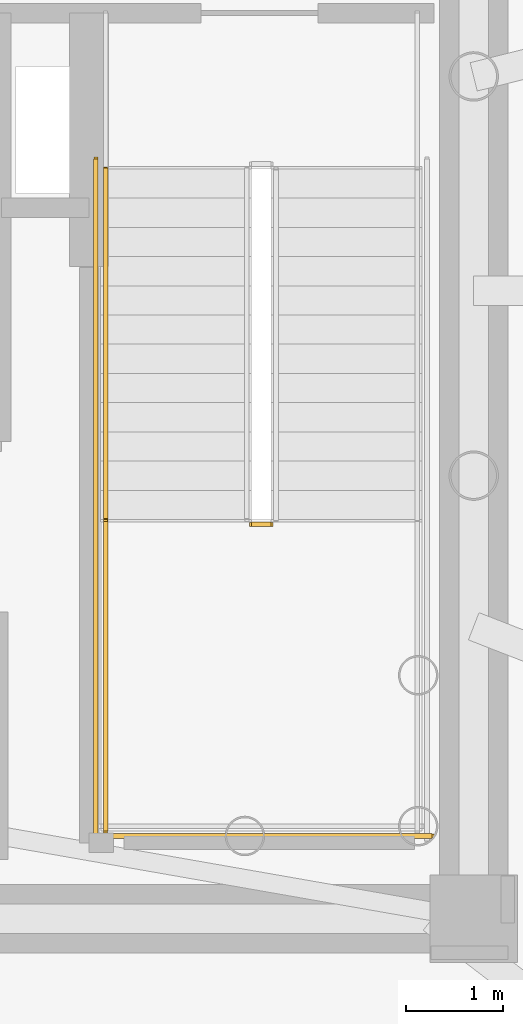
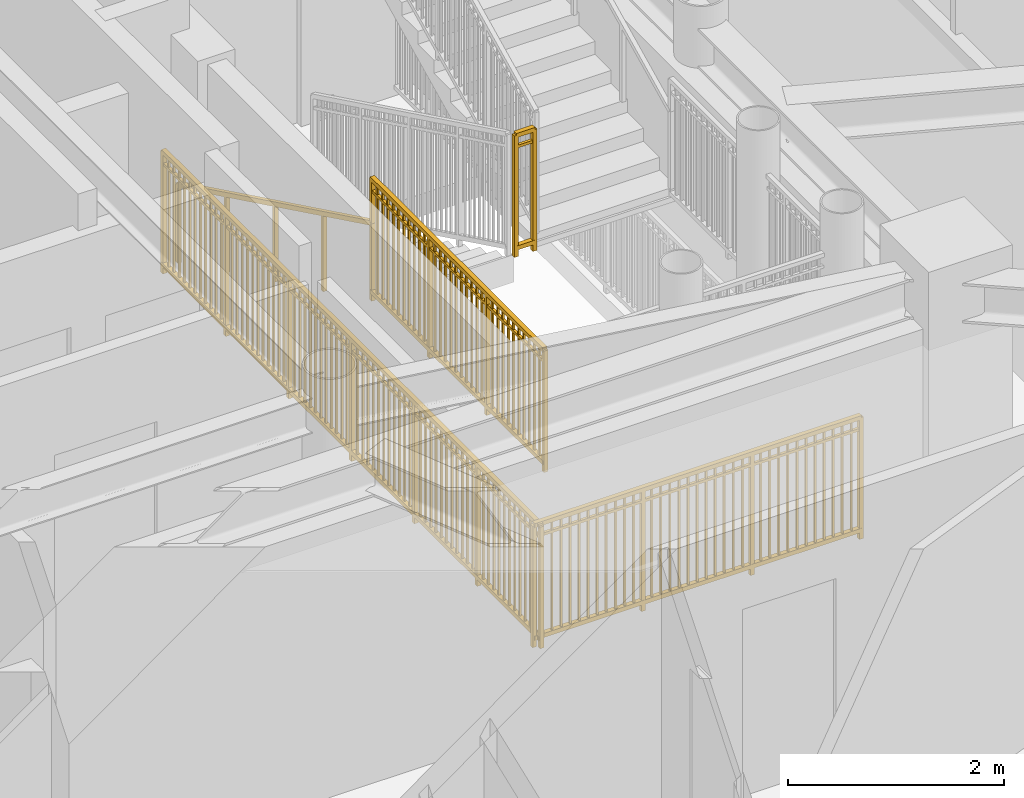
# One storey, part 12 of 17: 5 railings.
"""IFC4 building model written with IfcOpenShell, lengths in metres."""

from ifc_helpers import new_model, si_unit, direction, frame, origin, origin_2d, place, context, subcontext, project, spatial, rectangle, extrude, source, transform, mapped, material, type_object, element, save


model = new_model("IFC4")

# Units and contexts
model_context = context("Model", 3, precision=1e-05, world=origin(), true_north=direction((0.0, 1.0)))
body_context = subcontext(model_context, "Body", "Model", "MODEL_VIEW")
ifc_project = project(units=[si_unit("LENGTHUNIT", "METRE"), si_unit("AREAUNIT", "SQUARE_METRE"), si_unit("VOLUMEUNIT", "CUBIC_METRE"), si_unit("PLANEANGLEUNIT", "RADIAN"), si_unit("MASSUNIT", "GRAM", prefix="KILO")], contexts=[model_context])

# Site, building, storey
site_placement = place(None, origin())
site = spatial("IfcSite", under=ifc_project, at=site_placement, CompositionType="ELEMENT")
building_placement = place(site_placement, origin())
building = spatial("IfcBuilding", under=site, at=building_placement, Name="Linh Dai School and Residence Tower", CompositionType="ELEMENT")
storey_placement = place(building_placement, frame((0.0, 0.0, 327.800048828125)))
storey = spatial("IfcBuildingStorey", under=building, at=storey_placement, Name="L81", CompositionType="ELEMENT", Elevation=327.800048828125)

# Railings
ifc_material_1 = material(Name="Brushed Stainless Steel Handrail", Category="steel")
railing_type_1 = type_object("IfcRailingType", Name="RL-ST-HANDRAIL-900", PredefinedType="HANDRAIL", material=ifc_material_1)
shared_shape_1 = source(origin(), body_context, "Body", "SweptSolid", [
    extrude(rectangle(XDim=0.048095703125, YDim=0.048095703125, at=origin_2d()), frame((0.0, 0.0, 0.8759765625), z_axis=(0.0, -0.898988637874, 0.437971949985), x_axis=(1.0, 0.0, 0.0)), (0.0, 0.0, 1.0), 4.004638671875),
    extrude(rectangle(XDim=0.0419921875, YDim=0.0419921875, at=origin_2d()), origin(), (0.0, 0.0, 1.0), 0.8759765625),
    extrude(rectangle(XDim=0.0419921875, YDim=0.0419921875, at=origin_2d()), frame((0.0, -0.89990234375, 0.4384765625)), (0.0, 0.0, 1.0), 0.8759765625),
    extrude(rectangle(XDim=0.0419921875, YDim=0.0419921875, at=origin_2d()), frame((0.0, -1.800048828125, 0.876953125)), (0.0, 0.0, 1.0), 0.8759765625),
    extrude(rectangle(XDim=0.0419921875, YDim=0.0419921875, at=origin_2d()), frame((0.0, -2.7001953125, 1.3154296875)), (0.0, 0.0, 1.0), 0.8759765625),
    extrude(rectangle(XDim=0.0419921875, YDim=0.0419921875, at=origin_2d()), frame((0.0, -3.60009765625, 1.75390625)), (0.0, 0.0, 1.0), 0.8759765625),
])
railing_1_placement = place(storey_placement, frame((41.070068359375, 28.25, 0.14599609375)))
element("IfcRailing", 1, at=railing_1_placement, inside=storey, type_object=railing_type_1, Name="L81 ST2 stair handrail 1", PredefinedType="HANDRAIL", context=body_context, shape_type="MappedRepresentation", body=[
    mapped(shared_shape_1, transform((0.0, 0.0, 0.0), x_axis=(1.0, 0.0, 0.0), y_axis=(0.0, 1.0, 0.0), z_axis=(0.0, 0.0, 1.0), scale=1.0)),
])
ifc_material_2 = material(Name="Structural Steel S355JR", Category="steel")
railing_type_2 = type_object("IfcRailingType", Name="RL-ST-GUARD-1400", PredefinedType="GUARDRAIL", material=ifc_material_2)
shared_shape_2 = source(origin(), body_context, "Body", "SweptSolid", [
    extrude(rectangle(XDim=0.048095703125, YDim=0.048095703125, at=origin_2d()), frame((0.0, 0.0, 1.3759765625), z_axis=(1.0, 0.0, 0.0), x_axis=(0.0, 1.0, 0.0)), (0.0, 0.0, 1.0), 0.199951171875),
    extrude(rectangle(XDim=0.048095703125, YDim=0.048095703125, at=origin_2d()), frame((0.0, 0.0, 0.10009765625), z_axis=(1.0, 0.0, 0.0), x_axis=(0.0, 1.0, 0.0)), (0.0, 0.0, 1.0), 0.199951171875),
    extrude(rectangle(XDim=0.030029296875, YDim=0.030029296875, at=origin_2d()), frame((0.0, 0.0, 1.239990234375), z_axis=(1.0, 0.0, 0.0), x_axis=(0.0, 1.0, 0.0)), (0.0, 0.0, 1.0), 0.199951171875),
    extrude(rectangle(XDim=0.0419921875, YDim=0.0419921875, at=origin_2d()), origin(), (0.0, 0.0, 1.0), 1.3759765625),
    extrude(rectangle(XDim=0.0419921875, YDim=0.0419921875, at=origin_2d()), frame((0.199951171875, 0.0, 0.0)), (0.0, 0.0, 1.0), 1.3759765625),
])
railing_2_placement = place(storey_placement, frame((42.570068359375, 24.60009765625, 1.89990234375)))
element("IfcRailing", 2, at=railing_2_placement, inside=storey, type_object=railing_type_2, Name="L81 ST2 stair guard 2", PredefinedType="GUARDRAIL", context=body_context, shape_type="MappedRepresentation", body=[
    mapped(shared_shape_2, transform((0.0, 0.0, 0.0), x_axis=(1.0, 0.0, 0.0), y_axis=(0.0, 1.0, 0.0), z_axis=(0.0, 0.0, 1.0), scale=1.0)),
])
shared_shape_3 = source(origin(), body_context, "Body", "SweptSolid", [
    extrude(rectangle(XDim=0.048095703125, YDim=0.048095703125, at=origin_2d()), frame((0.0, 0.0, 1.3759765625), z_axis=(0.0, -1.0, 0.0), x_axis=(1.0, 0.0, 0.0)), (0.0, 0.0, 1.0), 7.0),
    extrude(rectangle(XDim=0.048095703125, YDim=0.048095703125, at=origin_2d()), frame((0.0, 0.0, 0.10009765625), z_axis=(0.0, -1.0, 0.0), x_axis=(1.0, 0.0, 0.0)), (0.0, 0.0, 1.0), 7.0),
    extrude(rectangle(XDim=0.030029296875, YDim=0.030029296875, at=origin_2d()), frame((0.0, 0.0, 1.239990234375), z_axis=(0.0, -1.0, 0.0), x_axis=(1.0, 0.0, 0.0)), (0.0, 0.0, 1.0), 7.0),
    extrude(rectangle(XDim=0.02001953125, YDim=0.02001953125, at=origin_2d()), frame((0.0, -0.09716796875, 0.10009765625)), (0.0, 0.0, 1.0), 1.251708984375),
    extrude(rectangle(XDim=0.02001953125, YDim=0.02001953125, at=origin_2d()), frame((0.0, -0.1943359375, 0.10009765625)), (0.0, 0.0, 1.0), 1.251708984375),
    extrude(rectangle(XDim=0.02001953125, YDim=0.02001953125, at=origin_2d()), frame((0.0, -0.291748046875, 0.10009765625)), (0.0, 0.0, 1.0), 1.251708984375),
    extrude(rectangle(XDim=0.02001953125, YDim=0.02001953125, at=origin_2d()), frame((0.0, -0.388916015625, 0.10009765625)), (0.0, 0.0, 1.0), 1.251708984375),
    extrude(rectangle(XDim=0.02001953125, YDim=0.02001953125, at=origin_2d()), frame((0.0, -0.486083984375, 0.10009765625)), (0.0, 0.0, 1.0), 1.251708984375),
    extrude(rectangle(XDim=0.02001953125, YDim=0.02001953125, at=origin_2d()), frame((0.0, -0.583251953125, 0.10009765625)), (0.0, 0.0, 1.0), 1.251708984375),
    extrude(rectangle(XDim=0.02001953125, YDim=0.02001953125, at=origin_2d()), frame((0.0, -0.6806640625, 0.10009765625)), (0.0, 0.0, 1.0), 1.251708984375),
    extrude(rectangle(XDim=0.02001953125, YDim=0.02001953125, at=origin_2d()), frame((0.0, -0.77783203125, 0.10009765625)), (0.0, 0.0, 1.0), 1.251708984375),
    extrude(rectangle(XDim=0.02001953125, YDim=0.02001953125, at=origin_2d()), frame((0.0, -0.875, 0.10009765625)), (0.0, 0.0, 1.0), 1.251708984375),
    extrude(rectangle(XDim=0.02001953125, YDim=0.02001953125, at=origin_2d()), frame((0.0, -0.97216796875, 0.10009765625)), (0.0, 0.0, 1.0), 1.251708984375),
    extrude(rectangle(XDim=0.02001953125, YDim=0.02001953125, at=origin_2d()), frame((0.0, -1.0693359375, 0.10009765625)), (0.0, 0.0, 1.0), 1.251708984375),
    extrude(rectangle(XDim=0.02001953125, YDim=0.02001953125, at=origin_2d()), frame((0.0, -1.263916015625, 0.10009765625)), (0.0, 0.0, 1.0), 1.251708984375),
    extrude(rectangle(XDim=0.02001953125, YDim=0.02001953125, at=origin_2d()), frame((0.0, -1.361083984375, 0.10009765625)), (0.0, 0.0, 1.0), 1.251708984375),
    extrude(rectangle(XDim=0.02001953125, YDim=0.02001953125, at=origin_2d()), frame((0.0, -1.458251953125, 0.10009765625)), (0.0, 0.0, 1.0), 1.251708984375),
    extrude(rectangle(XDim=0.02001953125, YDim=0.02001953125, at=origin_2d()), frame((0.0, -1.5556640625, 0.10009765625)), (0.0, 0.0, 1.0), 1.251708984375),
    extrude(rectangle(XDim=0.02001953125, YDim=0.02001953125, at=origin_2d()), frame((0.0, -1.65283203125, 0.10009765625)), (0.0, 0.0, 1.0), 1.251708984375),
    extrude(rectangle(XDim=0.02001953125, YDim=0.02001953125, at=origin_2d()), frame((0.0, -1.75, 0.10009765625)), (0.0, 0.0, 1.0), 1.251708984375),
    extrude(rectangle(XDim=0.02001953125, YDim=0.02001953125, at=origin_2d()), frame((0.0, -1.84716796875, 0.10009765625)), (0.0, 0.0, 1.0), 1.251708984375),
    extrude(rectangle(XDim=0.02001953125, YDim=0.02001953125, at=origin_2d()), frame((0.0, -1.9443359375, 0.10009765625)), (0.0, 0.0, 1.0), 1.251708984375),
    extrude(rectangle(XDim=0.02001953125, YDim=0.02001953125, at=origin_2d()), frame((0.0, -2.041748046875, 0.10009765625)), (0.0, 0.0, 1.0), 1.251708984375),
    extrude(rectangle(XDim=0.02001953125, YDim=0.02001953125, at=origin_2d()), frame((0.0, -2.138916015625, 0.10009765625)), (0.0, 0.0, 1.0), 1.251708984375),
    extrude(rectangle(XDim=0.02001953125, YDim=0.02001953125, at=origin_2d()), frame((0.0, -2.236083984375, 0.10009765625)), (0.0, 0.0, 1.0), 1.251708984375),
    extrude(rectangle(XDim=0.02001953125, YDim=0.02001953125, at=origin_2d()), frame((0.0, -2.4306640625, 0.10009765625)), (0.0, 0.0, 1.0), 1.251708984375),
    extrude(rectangle(XDim=0.02001953125, YDim=0.02001953125, at=origin_2d()), frame((0.0, -2.52783203125, 0.10009765625)), (0.0, 0.0, 1.0), 1.251708984375),
    extrude(rectangle(XDim=0.02001953125, YDim=0.02001953125, at=origin_2d()), frame((0.0, -2.625, 0.10009765625)), (0.0, 0.0, 1.0), 1.251708984375),
    extrude(rectangle(XDim=0.02001953125, YDim=0.02001953125, at=origin_2d()), frame((0.0, -2.72216796875, 0.10009765625)), (0.0, 0.0, 1.0), 1.251708984375),
    extrude(rectangle(XDim=0.02001953125, YDim=0.02001953125, at=origin_2d()), frame((0.0, -2.8193359375, 0.10009765625)), (0.0, 0.0, 1.0), 1.251708984375),
    extrude(rectangle(XDim=0.02001953125, YDim=0.02001953125, at=origin_2d()), frame((0.0, -2.916748046875, 0.10009765625)), (0.0, 0.0, 1.0), 1.251708984375),
    extrude(rectangle(XDim=0.02001953125, YDim=0.02001953125, at=origin_2d()), frame((0.0, -3.013916015625, 0.10009765625)), (0.0, 0.0, 1.0), 1.251708984375),
    extrude(rectangle(XDim=0.02001953125, YDim=0.02001953125, at=origin_2d()), frame((0.0, -3.111083984375, 0.10009765625)), (0.0, 0.0, 1.0), 1.251708984375),
    extrude(rectangle(XDim=0.02001953125, YDim=0.02001953125, at=origin_2d()), frame((0.0, -3.208251953125, 0.10009765625)), (0.0, 0.0, 1.0), 1.251708984375),
    extrude(rectangle(XDim=0.02001953125, YDim=0.02001953125, at=origin_2d()), frame((0.0, -3.3056640625, 0.10009765625)), (0.0, 0.0, 1.0), 1.251708984375),
    extrude(rectangle(XDim=0.02001953125, YDim=0.02001953125, at=origin_2d()), frame((0.0, -3.40283203125, 0.10009765625)), (0.0, 0.0, 1.0), 1.251708984375),
    extrude(rectangle(XDim=0.02001953125, YDim=0.02001953125, at=origin_2d()), frame((0.0, -3.59716796875, 0.10009765625)), (0.0, 0.0, 1.0), 1.251708984375),
    extrude(rectangle(XDim=0.02001953125, YDim=0.02001953125, at=origin_2d()), frame((0.0, -3.6943359375, 0.10009765625)), (0.0, 0.0, 1.0), 1.251708984375),
    extrude(rectangle(XDim=0.02001953125, YDim=0.02001953125, at=origin_2d()), frame((0.0, -3.791748046875, 0.10009765625)), (0.0, 0.0, 1.0), 1.251708984375),
    extrude(rectangle(XDim=0.02001953125, YDim=0.02001953125, at=origin_2d()), frame((0.0, -3.888916015625, 0.10009765625)), (0.0, 0.0, 1.0), 1.251708984375),
    extrude(rectangle(XDim=0.02001953125, YDim=0.02001953125, at=origin_2d()), frame((0.0, -3.986083984375, 0.10009765625)), (0.0, 0.0, 1.0), 1.251708984375),
    extrude(rectangle(XDim=0.02001953125, YDim=0.02001953125, at=origin_2d()), frame((0.0, -4.083251953125, 0.10009765625)), (0.0, 0.0, 1.0), 1.251708984375),
    extrude(rectangle(XDim=0.02001953125, YDim=0.02001953125, at=origin_2d()), frame((0.0, -4.1806640625, 0.10009765625)), (0.0, 0.0, 1.0), 1.251708984375),
    extrude(rectangle(XDim=0.02001953125, YDim=0.02001953125, at=origin_2d()), frame((0.0, -4.27783203125, 0.10009765625)), (0.0, 0.0, 1.0), 1.251708984375),
    extrude(rectangle(XDim=0.02001953125, YDim=0.02001953125, at=origin_2d()), frame((0.0, -4.375, 0.10009765625)), (0.0, 0.0, 1.0), 1.251708984375),
    extrude(rectangle(XDim=0.02001953125, YDim=0.02001953125, at=origin_2d()), frame((0.0, -4.47216796875, 0.10009765625)), (0.0, 0.0, 1.0), 1.251708984375),
    extrude(rectangle(XDim=0.02001953125, YDim=0.02001953125, at=origin_2d()), frame((0.0, -4.5693359375, 0.10009765625)), (0.0, 0.0, 1.0), 1.251708984375),
    extrude(rectangle(XDim=0.02001953125, YDim=0.02001953125, at=origin_2d()), frame((0.0, -4.763916015625, 0.10009765625)), (0.0, 0.0, 1.0), 1.251708984375),
    extrude(rectangle(XDim=0.02001953125, YDim=0.02001953125, at=origin_2d()), frame((0.0, -4.861083984375, 0.10009765625)), (0.0, 0.0, 1.0), 1.251708984375),
    extrude(rectangle(XDim=0.02001953125, YDim=0.02001953125, at=origin_2d()), frame((0.0, -4.958251953125, 0.10009765625)), (0.0, 0.0, 1.0), 1.251708984375),
    extrude(rectangle(XDim=0.02001953125, YDim=0.02001953125, at=origin_2d()), frame((0.0, -5.0556640625, 0.10009765625)), (0.0, 0.0, 1.0), 1.251708984375),
    extrude(rectangle(XDim=0.02001953125, YDim=0.02001953125, at=origin_2d()), frame((0.0, -5.15283203125, 0.10009765625)), (0.0, 0.0, 1.0), 1.251708984375),
    extrude(rectangle(XDim=0.02001953125, YDim=0.02001953125, at=origin_2d()), frame((0.0, -5.25, 0.10009765625)), (0.0, 0.0, 1.0), 1.251708984375),
    extrude(rectangle(XDim=0.02001953125, YDim=0.02001953125, at=origin_2d()), frame((0.0, -5.34716796875, 0.10009765625)), (0.0, 0.0, 1.0), 1.251708984375),
    extrude(rectangle(XDim=0.02001953125, YDim=0.02001953125, at=origin_2d()), frame((0.0, -5.4443359375, 0.10009765625)), (0.0, 0.0, 1.0), 1.251708984375),
    extrude(rectangle(XDim=0.02001953125, YDim=0.02001953125, at=origin_2d()), frame((0.0, -5.541748046875, 0.10009765625)), (0.0, 0.0, 1.0), 1.251708984375),
    extrude(rectangle(XDim=0.02001953125, YDim=0.02001953125, at=origin_2d()), frame((0.0, -5.638916015625, 0.10009765625)), (0.0, 0.0, 1.0), 1.251708984375),
    extrude(rectangle(XDim=0.02001953125, YDim=0.02001953125, at=origin_2d()), frame((0.0, -5.736083984375, 0.10009765625)), (0.0, 0.0, 1.0), 1.251708984375),
    extrude(rectangle(XDim=0.02001953125, YDim=0.02001953125, at=origin_2d()), frame((0.0, -5.9306640625, 0.10009765625)), (0.0, 0.0, 1.0), 1.251708984375),
    extrude(rectangle(XDim=0.02001953125, YDim=0.02001953125, at=origin_2d()), frame((0.0, -6.02783203125, 0.10009765625)), (0.0, 0.0, 1.0), 1.251708984375),
    extrude(rectangle(XDim=0.02001953125, YDim=0.02001953125, at=origin_2d()), frame((0.0, -6.125, 0.10009765625)), (0.0, 0.0, 1.0), 1.251708984375),
    extrude(rectangle(XDim=0.02001953125, YDim=0.02001953125, at=origin_2d()), frame((0.0, -6.22216796875, 0.10009765625)), (0.0, 0.0, 1.0), 1.251708984375),
    extrude(rectangle(XDim=0.02001953125, YDim=0.02001953125, at=origin_2d()), frame((0.0, -6.3193359375, 0.10009765625)), (0.0, 0.0, 1.0), 1.251708984375),
    extrude(rectangle(XDim=0.02001953125, YDim=0.02001953125, at=origin_2d()), frame((0.0, -6.416748046875, 0.10009765625)), (0.0, 0.0, 1.0), 1.251708984375),
    extrude(rectangle(XDim=0.02001953125, YDim=0.02001953125, at=origin_2d()), frame((0.0, -6.513916015625, 0.10009765625)), (0.0, 0.0, 1.0), 1.251708984375),
    extrude(rectangle(XDim=0.02001953125, YDim=0.02001953125, at=origin_2d()), frame((0.0, -6.611083984375, 0.10009765625)), (0.0, 0.0, 1.0), 1.251708984375),
    extrude(rectangle(XDim=0.02001953125, YDim=0.02001953125, at=origin_2d()), frame((0.0, -6.708251953125, 0.10009765625)), (0.0, 0.0, 1.0), 1.251708984375),
    extrude(rectangle(XDim=0.02001953125, YDim=0.02001953125, at=origin_2d()), frame((0.0, -6.8056640625, 0.10009765625)), (0.0, 0.0, 1.0), 1.251708984375),
    extrude(rectangle(XDim=0.02001953125, YDim=0.02001953125, at=origin_2d()), frame((0.0, -6.90283203125, 0.10009765625)), (0.0, 0.0, 1.0), 1.251708984375),
    extrude(rectangle(XDim=0.0419921875, YDim=0.0419921875, at=origin_2d()), origin(), (0.0, 0.0, 1.0), 1.3759765625),
    extrude(rectangle(XDim=0.0419921875, YDim=0.0419921875, at=origin_2d()), frame((0.0, -1.166748046875, 0.0)), (0.0, 0.0, 1.0), 1.3759765625),
    extrude(rectangle(XDim=0.0419921875, YDim=0.0419921875, at=origin_2d()), frame((0.0, -2.333251953125, 0.0)), (0.0, 0.0, 1.0), 1.3759765625),
    extrude(rectangle(XDim=0.0419921875, YDim=0.0419921875, at=origin_2d()), frame((0.0, -3.5, 0.0)), (0.0, 0.0, 1.0), 1.3759765625),
    extrude(rectangle(XDim=0.0419921875, YDim=0.0419921875, at=origin_2d()), frame((0.0, -4.666748046875, 0.0)), (0.0, 0.0, 1.0), 1.3759765625),
    extrude(rectangle(XDim=0.0419921875, YDim=0.0419921875, at=origin_2d()), frame((0.0, -5.833251953125, 0.0)), (0.0, 0.0, 1.0), 1.3759765625),
    extrude(rectangle(XDim=0.0419921875, YDim=0.0419921875, at=origin_2d()), frame((0.0, -7.0, 0.0)), (0.0, 0.0, 1.0), 1.3759765625),
])
railing_3_placement = place(storey_placement, frame((40.969970703125, 28.35009765625, 0.0)))
element("IfcRailing", 3, at=railing_3_placement, inside=storey, type_object=railing_type_2, Name="L81 ST2 stair guard 10", PredefinedType="GUARDRAIL", context=body_context, shape_type="MappedRepresentation", body=[
    mapped(shared_shape_3, transform((0.0, 0.0, 0.0), x_axis=(1.0, 0.0, 0.0), y_axis=(0.0, 1.0, 0.0), z_axis=(0.0, 0.0, 1.0), scale=1.0)),
])
shared_shape_4 = source(origin(), body_context, "Body", "SweptSolid", [
    extrude(rectangle(XDim=0.048095703125, YDim=0.048095703125, at=origin_2d()), frame((0.0, 0.0, 1.3759765625), z_axis=(1.0, 0.0, 0.0), x_axis=(0.0, 1.0, 0.0)), (0.0, 0.0, 1.0), 3.5),
    extrude(rectangle(XDim=0.048095703125, YDim=0.048095703125, at=origin_2d()), frame((0.0, 0.0, 0.10009765625), z_axis=(1.0, 0.0, 0.0), x_axis=(0.0, 1.0, 0.0)), (0.0, 0.0, 1.0), 3.5),
    extrude(rectangle(XDim=0.030029296875, YDim=0.030029296875, at=origin_2d()), frame((0.0, 0.0, 1.239990234375), z_axis=(1.0, 0.0, 0.0), x_axis=(0.0, 1.0, 0.0)), (0.0, 0.0, 1.0), 3.5),
    extrude(rectangle(XDim=0.02001953125, YDim=0.02001953125, at=origin_2d()), frame((0.09716796875, 0.0, 0.10009765625)), (0.0, 0.0, 1.0), 1.251708984375),
    extrude(rectangle(XDim=0.02001953125, YDim=0.02001953125, at=origin_2d()), frame((0.1943359375, 0.0, 0.10009765625)), (0.0, 0.0, 1.0), 1.251708984375),
    extrude(rectangle(XDim=0.02001953125, YDim=0.02001953125, at=origin_2d()), frame((0.291748046875, 0.0, 0.10009765625)), (0.0, 0.0, 1.0), 1.251708984375),
    extrude(rectangle(XDim=0.02001953125, YDim=0.02001953125, at=origin_2d()), frame((0.388916015625, 0.0, 0.10009765625)), (0.0, 0.0, 1.0), 1.251708984375),
    extrude(rectangle(XDim=0.02001953125, YDim=0.02001953125, at=origin_2d()), frame((0.486083984375, 0.0, 0.10009765625)), (0.0, 0.0, 1.0), 1.251708984375),
    extrude(rectangle(XDim=0.02001953125, YDim=0.02001953125, at=origin_2d()), frame((0.583251953125, 0.0, 0.10009765625)), (0.0, 0.0, 1.0), 1.251708984375),
    extrude(rectangle(XDim=0.02001953125, YDim=0.02001953125, at=origin_2d()), frame((0.6806640625, 0.0, 0.10009765625)), (0.0, 0.0, 1.0), 1.251708984375),
    extrude(rectangle(XDim=0.02001953125, YDim=0.02001953125, at=origin_2d()), frame((0.77783203125, 0.0, 0.10009765625)), (0.0, 0.0, 1.0), 1.251708984375),
    extrude(rectangle(XDim=0.02001953125, YDim=0.02001953125, at=origin_2d()), frame((0.875, 0.0, 0.10009765625)), (0.0, 0.0, 1.0), 1.251708984375),
    extrude(rectangle(XDim=0.02001953125, YDim=0.02001953125, at=origin_2d()), frame((0.97216796875, 0.0, 0.10009765625)), (0.0, 0.0, 1.0), 1.251708984375),
    extrude(rectangle(XDim=0.02001953125, YDim=0.02001953125, at=origin_2d()), frame((1.0693359375, 0.0, 0.10009765625)), (0.0, 0.0, 1.0), 1.251708984375),
    extrude(rectangle(XDim=0.02001953125, YDim=0.02001953125, at=origin_2d()), frame((1.263916015625, 0.0, 0.10009765625)), (0.0, 0.0, 1.0), 1.251708984375),
    extrude(rectangle(XDim=0.02001953125, YDim=0.02001953125, at=origin_2d()), frame((1.361083984375, 0.0, 0.10009765625)), (0.0, 0.0, 1.0), 1.251708984375),
    extrude(rectangle(XDim=0.02001953125, YDim=0.02001953125, at=origin_2d()), frame((1.458251953125, 0.0, 0.10009765625)), (0.0, 0.0, 1.0), 1.251708984375),
    extrude(rectangle(XDim=0.02001953125, YDim=0.02001953125, at=origin_2d()), frame((1.5556640625, 0.0, 0.10009765625)), (0.0, 0.0, 1.0), 1.251708984375),
    extrude(rectangle(XDim=0.02001953125, YDim=0.02001953125, at=origin_2d()), frame((1.65283203125, 0.0, 0.10009765625)), (0.0, 0.0, 1.0), 1.251708984375),
    extrude(rectangle(XDim=0.02001953125, YDim=0.02001953125, at=origin_2d()), frame((1.75, 0.0, 0.10009765625)), (0.0, 0.0, 1.0), 1.251708984375),
    extrude(rectangle(XDim=0.02001953125, YDim=0.02001953125, at=origin_2d()), frame((1.84716796875, 0.0, 0.10009765625)), (0.0, 0.0, 1.0), 1.251708984375),
    extrude(rectangle(XDim=0.02001953125, YDim=0.02001953125, at=origin_2d()), frame((1.9443359375, 0.0, 0.10009765625)), (0.0, 0.0, 1.0), 1.251708984375),
    extrude(rectangle(XDim=0.02001953125, YDim=0.02001953125, at=origin_2d()), frame((2.041748046875, 0.0, 0.10009765625)), (0.0, 0.0, 1.0), 1.251708984375),
    extrude(rectangle(XDim=0.02001953125, YDim=0.02001953125, at=origin_2d()), frame((2.138916015625, 0.0, 0.10009765625)), (0.0, 0.0, 1.0), 1.251708984375),
    extrude(rectangle(XDim=0.02001953125, YDim=0.02001953125, at=origin_2d()), frame((2.236083984375, 0.0, 0.10009765625)), (0.0, 0.0, 1.0), 1.251708984375),
    extrude(rectangle(XDim=0.02001953125, YDim=0.02001953125, at=origin_2d()), frame((2.4306640625, 0.0, 0.10009765625)), (0.0, 0.0, 1.0), 1.251708984375),
    extrude(rectangle(XDim=0.02001953125, YDim=0.02001953125, at=origin_2d()), frame((2.52783203125, 0.0, 0.10009765625)), (0.0, 0.0, 1.0), 1.251708984375),
    extrude(rectangle(XDim=0.02001953125, YDim=0.02001953125, at=origin_2d()), frame((2.625, 0.0, 0.10009765625)), (0.0, 0.0, 1.0), 1.251708984375),
    extrude(rectangle(XDim=0.02001953125, YDim=0.02001953125, at=origin_2d()), frame((2.72216796875, 0.0, 0.10009765625)), (0.0, 0.0, 1.0), 1.251708984375),
    extrude(rectangle(XDim=0.02001953125, YDim=0.02001953125, at=origin_2d()), frame((2.8193359375, 0.0, 0.10009765625)), (0.0, 0.0, 1.0), 1.251708984375),
    extrude(rectangle(XDim=0.02001953125, YDim=0.02001953125, at=origin_2d()), frame((2.916748046875, 0.0, 0.10009765625)), (0.0, 0.0, 1.0), 1.251708984375),
    extrude(rectangle(XDim=0.02001953125, YDim=0.02001953125, at=origin_2d()), frame((3.013916015625, 0.0, 0.10009765625)), (0.0, 0.0, 1.0), 1.251708984375),
    extrude(rectangle(XDim=0.02001953125, YDim=0.02001953125, at=origin_2d()), frame((3.111083984375, 0.0, 0.10009765625)), (0.0, 0.0, 1.0), 1.251708984375),
    extrude(rectangle(XDim=0.02001953125, YDim=0.02001953125, at=origin_2d()), frame((3.208251953125, 0.0, 0.10009765625)), (0.0, 0.0, 1.0), 1.251708984375),
    extrude(rectangle(XDim=0.02001953125, YDim=0.02001953125, at=origin_2d()), frame((3.3056640625, 0.0, 0.10009765625)), (0.0, 0.0, 1.0), 1.251708984375),
    extrude(rectangle(XDim=0.02001953125, YDim=0.02001953125, at=origin_2d()), frame((3.40283203125, 0.0, 0.10009765625)), (0.0, 0.0, 1.0), 1.251708984375),
    extrude(rectangle(XDim=0.0419921875, YDim=0.0419921875, at=origin_2d()), origin(), (0.0, 0.0, 1.0), 1.3759765625),
    extrude(rectangle(XDim=0.0419921875, YDim=0.0419921875, at=origin_2d()), frame((1.166748046875, 0.0, 0.0)), (0.0, 0.0, 1.0), 1.3759765625),
    extrude(rectangle(XDim=0.0419921875, YDim=0.0419921875, at=origin_2d()), frame((2.333251953125, 0.0, 0.0)), (0.0, 0.0, 1.0), 1.3759765625),
    extrude(rectangle(XDim=0.0419921875, YDim=0.0419921875, at=origin_2d()), frame((3.5, 0.0, 0.0)), (0.0, 0.0, 1.0), 1.3759765625),
])
railing_4_placement = place(storey_placement, frame((40.919921875, 21.39990234375, 0.0)))
element("IfcRailing", 4, at=railing_4_placement, inside=storey, type_object=railing_type_2, Name="L81 ST2 stair guard 12", PredefinedType="GUARDRAIL", context=body_context, shape_type="MappedRepresentation", body=[
    mapped(shared_shape_4, transform((0.0, 0.0, 0.0), x_axis=(1.0, 0.0, 0.0), y_axis=(0.0, 1.0, 0.0), z_axis=(0.0, 0.0, 1.0), scale=1.0)),
])
shared_shape_5 = source(origin(), body_context, "Body", "SweptSolid", [
    extrude(rectangle(XDim=0.048095703125, YDim=0.048095703125, at=origin_2d()), frame((0.0, 0.0, 1.3759765625), z_axis=(0.0, -1.0, 0.0), x_axis=(1.0, 0.0, 0.0)), (0.0, 0.0, 1.0), 3.199951171875),
    extrude(rectangle(XDim=0.048095703125, YDim=0.048095703125, at=origin_2d()), frame((0.0, 0.0, 0.10009765625), z_axis=(0.0, -1.0, 0.0), x_axis=(1.0, 0.0, 0.0)), (0.0, 0.0, 1.0), 3.199951171875),
    extrude(rectangle(XDim=0.030029296875, YDim=0.030029296875, at=origin_2d()), frame((0.0, 0.0, 1.239990234375), z_axis=(0.0, -1.0, 0.0), x_axis=(1.0, 0.0, 0.0)), (0.0, 0.0, 1.0), 3.199951171875),
    extrude(rectangle(XDim=0.02001953125, YDim=0.02001953125, at=origin_2d()), frame((0.0, -0.096923828125, 0.10009765625)), (0.0, 0.0, 1.0), 1.251708984375),
    extrude(rectangle(XDim=0.02001953125, YDim=0.02001953125, at=origin_2d()), frame((0.0, -0.19384765625, 0.10009765625)), (0.0, 0.0, 1.0), 1.251708984375),
    extrude(rectangle(XDim=0.02001953125, YDim=0.02001953125, at=origin_2d()), frame((0.0, -0.291015625, 0.10009765625)), (0.0, 0.0, 1.0), 1.251708984375),
    extrude(rectangle(XDim=0.02001953125, YDim=0.02001953125, at=origin_2d()), frame((0.0, -0.387939453125, 0.10009765625)), (0.0, 0.0, 1.0), 1.251708984375),
    extrude(rectangle(XDim=0.02001953125, YDim=0.02001953125, at=origin_2d()), frame((0.0, -0.48486328125, 0.10009765625)), (0.0, 0.0, 1.0), 1.251708984375),
    extrude(rectangle(XDim=0.02001953125, YDim=0.02001953125, at=origin_2d()), frame((0.0, -0.581787109375, 0.10009765625)), (0.0, 0.0, 1.0), 1.251708984375),
    extrude(rectangle(XDim=0.02001953125, YDim=0.02001953125, at=origin_2d()), frame((0.0, -0.6787109375, 0.10009765625)), (0.0, 0.0, 1.0), 1.251708984375),
    extrude(rectangle(XDim=0.02001953125, YDim=0.02001953125, at=origin_2d()), frame((0.0, -0.775634765625, 0.10009765625)), (0.0, 0.0, 1.0), 1.251708984375),
    extrude(rectangle(XDim=0.02001953125, YDim=0.02001953125, at=origin_2d()), frame((0.0, -0.872802734375, 0.10009765625)), (0.0, 0.0, 1.0), 1.251708984375),
    extrude(rectangle(XDim=0.02001953125, YDim=0.02001953125, at=origin_2d()), frame((0.0, -0.9697265625, 0.10009765625)), (0.0, 0.0, 1.0), 1.251708984375),
    extrude(rectangle(XDim=0.02001953125, YDim=0.02001953125, at=origin_2d()), frame((0.0, -1.16357421875, 0.10009765625)), (0.0, 0.0, 1.0), 1.251708984375),
    extrude(rectangle(XDim=0.02001953125, YDim=0.02001953125, at=origin_2d()), frame((0.0, -1.260498046875, 0.10009765625)), (0.0, 0.0, 1.0), 1.251708984375),
    extrude(rectangle(XDim=0.02001953125, YDim=0.02001953125, at=origin_2d()), frame((0.0, -1.357666015625, 0.10009765625)), (0.0, 0.0, 1.0), 1.251708984375),
    extrude(rectangle(XDim=0.02001953125, YDim=0.02001953125, at=origin_2d()), frame((0.0, -1.45458984375, 0.10009765625)), (0.0, 0.0, 1.0), 1.251708984375),
    extrude(rectangle(XDim=0.02001953125, YDim=0.02001953125, at=origin_2d()), frame((0.0, -1.551513671875, 0.10009765625)), (0.0, 0.0, 1.0), 1.251708984375),
    extrude(rectangle(XDim=0.02001953125, YDim=0.02001953125, at=origin_2d()), frame((0.0, -1.6484375, 0.10009765625)), (0.0, 0.0, 1.0), 1.251708984375),
    extrude(rectangle(XDim=0.02001953125, YDim=0.02001953125, at=origin_2d()), frame((0.0, -1.745361328125, 0.10009765625)), (0.0, 0.0, 1.0), 1.251708984375),
    extrude(rectangle(XDim=0.02001953125, YDim=0.02001953125, at=origin_2d()), frame((0.0, -1.84228515625, 0.10009765625)), (0.0, 0.0, 1.0), 1.251708984375),
    extrude(rectangle(XDim=0.02001953125, YDim=0.02001953125, at=origin_2d()), frame((0.0, -1.939453125, 0.10009765625)), (0.0, 0.0, 1.0), 1.251708984375),
    extrude(rectangle(XDim=0.02001953125, YDim=0.02001953125, at=origin_2d()), frame((0.0, -2.036376953125, 0.10009765625)), (0.0, 0.0, 1.0), 1.251708984375),
    extrude(rectangle(XDim=0.02001953125, YDim=0.02001953125, at=origin_2d()), frame((0.0, -2.230224609375, 0.10009765625)), (0.0, 0.0, 1.0), 1.251708984375),
    extrude(rectangle(XDim=0.02001953125, YDim=0.02001953125, at=origin_2d()), frame((0.0, -2.3271484375, 0.10009765625)), (0.0, 0.0, 1.0), 1.251708984375),
    extrude(rectangle(XDim=0.02001953125, YDim=0.02001953125, at=origin_2d()), frame((0.0, -2.42431640625, 0.10009765625)), (0.0, 0.0, 1.0), 1.251708984375),
    extrude(rectangle(XDim=0.02001953125, YDim=0.02001953125, at=origin_2d()), frame((0.0, -2.521240234375, 0.10009765625)), (0.0, 0.0, 1.0), 1.251708984375),
    extrude(rectangle(XDim=0.02001953125, YDim=0.02001953125, at=origin_2d()), frame((0.0, -2.6181640625, 0.10009765625)), (0.0, 0.0, 1.0), 1.251708984375),
    extrude(rectangle(XDim=0.02001953125, YDim=0.02001953125, at=origin_2d()), frame((0.0, -2.715087890625, 0.10009765625)), (0.0, 0.0, 1.0), 1.251708984375),
    extrude(rectangle(XDim=0.02001953125, YDim=0.02001953125, at=origin_2d()), frame((0.0, -2.81201171875, 0.10009765625)), (0.0, 0.0, 1.0), 1.251708984375),
    extrude(rectangle(XDim=0.02001953125, YDim=0.02001953125, at=origin_2d()), frame((0.0, -2.908935546875, 0.10009765625)), (0.0, 0.0, 1.0), 1.251708984375),
    extrude(rectangle(XDim=0.02001953125, YDim=0.02001953125, at=origin_2d()), frame((0.0, -3.006103515625, 0.10009765625)), (0.0, 0.0, 1.0), 1.251708984375),
    extrude(rectangle(XDim=0.02001953125, YDim=0.02001953125, at=origin_2d()), frame((0.0, -3.10302734375, 0.10009765625)), (0.0, 0.0, 1.0), 1.251708984375),
    extrude(rectangle(XDim=0.0419921875, YDim=0.0419921875, at=origin_2d()), origin(), (0.0, 0.0, 1.0), 1.3759765625),
    extrude(rectangle(XDim=0.0419921875, YDim=0.0419921875, at=origin_2d()), frame((0.0, -1.066650390625, 0.0)), (0.0, 0.0, 1.0), 1.3759765625),
    extrude(rectangle(XDim=0.0419921875, YDim=0.0419921875, at=origin_2d()), frame((0.0, -2.13330078125, 0.0)), (0.0, 0.0, 1.0), 1.3759765625),
    extrude(rectangle(XDim=0.0419921875, YDim=0.0419921875, at=origin_2d()), frame((0.0, -3.199951171875, 0.0)), (0.0, 0.0, 1.0), 1.3759765625),
])
railing_5_placement = place(storey_placement, frame((41.070068359375, 24.64990234375, 1.89990234375)))
element("IfcRailing", 5, at=railing_5_placement, inside=storey, type_object=railing_type_2, Name="L81 ST2 stair guard 3", PredefinedType="GUARDRAIL", context=body_context, shape_type="MappedRepresentation", body=[
    mapped(shared_shape_5, transform((0.0, 0.0, 0.0), x_axis=(1.0, 0.0, 0.0), y_axis=(0.0, 1.0, 0.0), z_axis=(0.0, 0.0, 1.0), scale=1.0)),
])

save(model, "model.ifc")
